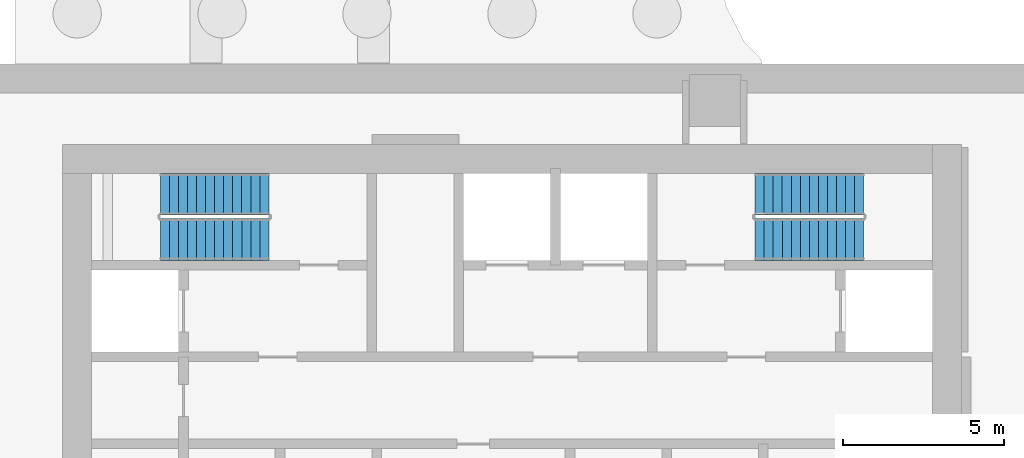
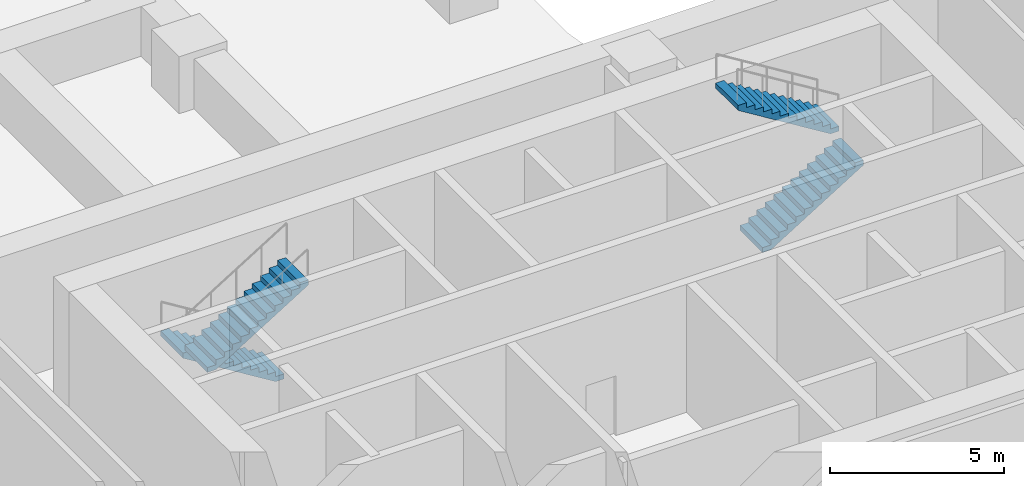
# One storey, part 10 of 14: 4 stair flights, 2 elements without a shape of their own.
"""IFC4 building model written with IfcOpenShell, lengths in metres."""

from ifc_helpers import new_model, si_unit, direction, frame, origin, place, context, subcontext, project, spatial, triangles, source, transform, mapped, material, type_object, element, aggregate, save


model = new_model("IFC4")

# Units and contexts
model_context = context("Model", 3, precision=1e-05, world=origin(), true_north=direction((0.0, 1.0)))
body_context = subcontext(model_context, "Body", "Model", "MODEL_VIEW")
ifc_project = project(units=[si_unit("LENGTHUNIT", "METRE"), si_unit("AREAUNIT", "SQUARE_METRE"), si_unit("VOLUMEUNIT", "CUBIC_METRE"), si_unit("PLANEANGLEUNIT", "RADIAN"), si_unit("MASSUNIT", "GRAM", prefix="KILO")], contexts=[model_context])

# Site, building, storey
site_placement = place(None, origin())
site = spatial("IfcSite", under=ifc_project, at=site_placement, CompositionType="ELEMENT")
building_placement = place(site_placement, origin())
building = spatial("IfcBuilding", under=site, at=building_placement, Name="Ogive Portal Towers", CompositionType="ELEMENT")
storey_placement = place(building_placement, frame((0.0, 0.0, -4.5)))
storey = spatial("IfcBuildingStorey", under=building, at=storey_placement, Name="B1", CompositionType="ELEMENT", Elevation=-4.5)

# Stair, stair flights
ifc_material = material(Name="Concrete C40/50", Category="concrete")
stair_type = type_object("IfcStairType", Name="INT-STAIR", PredefinedType="HALF_TURN_STAIR", material=ifc_material)
stair_1_placement = place(storey_placement, origin())
stair_1 = element("IfcStair", 1, at=stair_1_placement, inside=storey, type_object=stair_type, Name="B1 Exit Stair ST-A1", PredefinedType="HALF_TURN_STAIR")
stair_flight_type = type_object("IfcStairFlightType", Name="INT-FLIGHT", PredefinedType="STRAIGHT", material=ifc_material)
shared_shape = source(origin(), body_context, "Body", "Tessellation", [
    triangles([(0.0, -0.650146484375, 0.0), (0.0, -0.376220703125, 0.0), (0.0, -0.192626953125, 0.0), (0.0, -0.081298828125, 0.0), (0.0, -0.024169921875, 0.0), (0.0, -0.003173828125, 0.0), (0.0, 0.0, 0.0), (0.0, 0.0029296875, 0.0), (0.0, 0.02392578125, 0.0), (0.0, 0.0810546875, 0.0), (0.0, 0.1923828125, 0.0), (0.0, 0.3759765625, 0.0), (0.0, 0.64990234375, 0.0), (0.0, -0.650146484375, 0.173095703125), (0.0, -0.376220703125, 0.173095703125), (0.0, -0.192626953125, 0.173095703125), (0.0, -0.081298828125, 0.173095703125), (0.0, -0.024169921875, 0.173095703125), (0.0, -0.003173828125, 0.173095703125), (0.0, 0.0, 0.173095703125), (0.0, 0.0029296875, 0.173095703125), (0.0, 0.02392578125, 0.173095703125), (0.0, 0.0810546875, 0.173095703125), (0.0, 0.1923828125, 0.173095703125), (0.0, 0.3759765625, 0.173095703125), (0.0, 0.64990234375, 0.173095703125), (0.280029296875, -0.650146484375, 0.173095703125), (0.280029296875, -0.376220703125, 0.173095703125), (0.280029296875, -0.192626953125, 0.173095703125), (0.280029296875, -0.081298828125, 0.173095703125), (0.280029296875, -0.024169921875, 0.173095703125), (0.280029296875, -0.003173828125, 0.173095703125), (0.280029296875, 0.0, 0.173095703125), (0.280029296875, 0.0029296875, 0.173095703125), (0.280029296875, 0.02392578125, 0.173095703125), (0.280029296875, 0.0810546875, 0.173095703125), (0.280029296875, 0.1923828125, 0.173095703125), (0.280029296875, 0.3759765625, 0.173095703125), (0.280029296875, 0.64990234375, 0.173095703125), (0.280029296875, -0.650146484375, 0.34619140625), (0.280029296875, -0.376220703125, 0.34619140625), (0.280029296875, -0.192626953125, 0.34619140625), (0.280029296875, -0.081298828125, 0.34619140625), (0.280029296875, -0.024169921875, 0.34619140625), (0.280029296875, -0.003173828125, 0.34619140625), (0.280029296875, 0.0, 0.34619140625), (0.280029296875, 0.0029296875, 0.34619140625), (0.280029296875, 0.02392578125, 0.34619140625), (0.280029296875, 0.0810546875, 0.34619140625), (0.280029296875, 0.1923828125, 0.34619140625), (0.280029296875, 0.3759765625, 0.34619140625), (0.280029296875, 0.64990234375, 0.34619140625), (0.56005859375, -0.650146484375, 0.34619140625), (0.56005859375, -0.376220703125, 0.34619140625), (0.56005859375, -0.192626953125, 0.34619140625), (0.56005859375, -0.081298828125, 0.34619140625), (0.56005859375, -0.024169921875, 0.34619140625), (0.56005859375, -0.003173828125, 0.34619140625), (0.56005859375, 0.0, 0.34619140625), (0.56005859375, 0.0029296875, 0.34619140625), (0.56005859375, 0.02392578125, 0.34619140625), (0.56005859375, 0.0810546875, 0.34619140625), (0.56005859375, 0.1923828125, 0.34619140625), (0.56005859375, 0.3759765625, 0.34619140625), (0.56005859375, 0.64990234375, 0.34619140625), (0.56005859375, -0.650146484375, 0.519287109375), (0.56005859375, -0.376220703125, 0.519287109375), (0.56005859375, -0.192626953125, 0.519287109375), (0.56005859375, -0.081298828125, 0.519287109375), (0.56005859375, -0.024169921875, 0.519287109375), (0.56005859375, -0.003173828125, 0.519287109375), (0.56005859375, 0.0, 0.519287109375), (0.56005859375, 0.0029296875, 0.519287109375), (0.56005859375, 0.02392578125, 0.519287109375), (0.56005859375, 0.0810546875, 0.519287109375), (0.56005859375, 0.1923828125, 0.519287109375), (0.56005859375, 0.3759765625, 0.519287109375), (0.56005859375, 0.64990234375, 0.519287109375), (0.840087890625, -0.650146484375, 0.519287109375), (0.840087890625, -0.376220703125, 0.519287109375), (0.840087890625, -0.192626953125, 0.519287109375), (0.840087890625, -0.081298828125, 0.519287109375), (0.840087890625, -0.024169921875, 0.519287109375), (0.840087890625, -0.003173828125, 0.519287109375), (0.840087890625, 0.0, 0.519287109375), (0.840087890625, 0.0029296875, 0.519287109375), (0.840087890625, 0.02392578125, 0.519287109375), (0.840087890625, 0.0810546875, 0.519287109375), (0.840087890625, 0.1923828125, 0.519287109375), (0.840087890625, 0.3759765625, 0.519287109375), (0.840087890625, 0.64990234375, 0.519287109375), (0.840087890625, -0.650146484375, 0.6923828125), (0.840087890625, -0.376220703125, 0.6923828125), (0.840087890625, -0.192626953125, 0.6923828125), (0.840087890625, -0.081298828125, 0.6923828125), (0.840087890625, -0.024169921875, 0.6923828125), (0.840087890625, -0.003173828125, 0.6923828125), (0.840087890625, 0.0, 0.6923828125), (0.840087890625, 0.0029296875, 0.6923828125), (0.840087890625, 0.02392578125, 0.6923828125), (0.840087890625, 0.0810546875, 0.6923828125), (0.840087890625, 0.1923828125, 0.6923828125), (0.840087890625, 0.3759765625, 0.6923828125), (0.840087890625, 0.64990234375, 0.6923828125), (1.1201171875, -0.650146484375, 0.6923828125), (1.1201171875, -0.376220703125, 0.6923828125), (1.1201171875, -0.192626953125, 0.6923828125), (1.1201171875, -0.081298828125, 0.6923828125), (1.1201171875, -0.024169921875, 0.6923828125), (1.1201171875, -0.003173828125, 0.6923828125), (1.1201171875, 0.0, 0.6923828125), (1.1201171875, 0.0029296875, 0.6923828125), (1.1201171875, 0.02392578125, 0.6923828125), (1.1201171875, 0.0810546875, 0.6923828125), (1.1201171875, 0.1923828125, 0.6923828125), (1.1201171875, 0.3759765625, 0.6923828125), (1.1201171875, 0.64990234375, 0.6923828125), (1.1201171875, -0.650146484375, 0.865478515625), (1.1201171875, -0.376220703125, 0.865478515625), (1.1201171875, -0.192626953125, 0.865478515625), (1.1201171875, -0.081298828125, 0.865478515625), (1.1201171875, -0.024169921875, 0.865478515625), (1.1201171875, -0.003173828125, 0.865478515625), (1.1201171875, 0.0, 0.865478515625), (1.1201171875, 0.0029296875, 0.865478515625), (1.1201171875, 0.02392578125, 0.865478515625), (1.1201171875, 0.0810546875, 0.865478515625), (1.1201171875, 0.1923828125, 0.865478515625), (1.1201171875, 0.3759765625, 0.865478515625), (1.1201171875, 0.64990234375, 0.865478515625), (1.39990234375, -0.650146484375, 0.865478515625), (1.39990234375, -0.376220703125, 0.865478515625), (1.39990234375, -0.192626953125, 0.865478515625), (1.39990234375, -0.081298828125, 0.865478515625), (1.39990234375, -0.024169921875, 0.865478515625), (1.39990234375, -0.003173828125, 0.865478515625), (1.39990234375, 0.0, 0.865478515625), (1.39990234375, 0.0029296875, 0.865478515625), (1.39990234375, 0.02392578125, 0.865478515625), (1.39990234375, 0.0810546875, 0.865478515625), (1.39990234375, 0.1923828125, 0.865478515625), (1.39990234375, 0.3759765625, 0.865478515625), (1.39990234375, 0.64990234375, 0.865478515625), (1.39990234375, -0.650146484375, 1.03857421875), (1.39990234375, -0.376220703125, 1.03857421875), (1.39990234375, -0.192626953125, 1.03857421875), (1.39990234375, -0.081298828125, 1.03857421875), (1.39990234375, -0.024169921875, 1.03857421875), (1.39990234375, -0.003173828125, 1.03857421875), (1.39990234375, 0.0, 1.03857421875), (1.39990234375, 0.0029296875, 1.03857421875), (1.39990234375, 0.02392578125, 1.03857421875), (1.39990234375, 0.0810546875, 1.03857421875), (1.39990234375, 0.1923828125, 1.03857421875), (1.39990234375, 0.3759765625, 1.03857421875), (1.39990234375, 0.64990234375, 1.03857421875), (1.679931640625, -0.650146484375, 1.03857421875), (1.679931640625, -0.376220703125, 1.03857421875), (1.679931640625, -0.192626953125, 1.03857421875), (1.679931640625, -0.081298828125, 1.03857421875), (1.679931640625, -0.024169921875, 1.03857421875), (1.679931640625, -0.003173828125, 1.03857421875), (1.679931640625, 0.0, 1.03857421875), (1.679931640625, 0.0029296875, 1.03857421875), (1.679931640625, 0.02392578125, 1.03857421875), (1.679931640625, 0.0810546875, 1.03857421875), (1.679931640625, 0.1923828125, 1.03857421875), (1.679931640625, 0.3759765625, 1.03857421875), (1.679931640625, 0.64990234375, 1.03857421875), (1.679931640625, -0.650146484375, 1.21142578125), (1.679931640625, -0.376220703125, 1.21142578125), (1.679931640625, -0.192626953125, 1.21142578125), (1.679931640625, -0.081298828125, 1.21142578125), (1.679931640625, -0.024169921875, 1.21142578125), (1.679931640625, -0.003173828125, 1.21142578125), (1.679931640625, 0.0, 1.21142578125), (1.679931640625, 0.0029296875, 1.21142578125), (1.679931640625, 0.02392578125, 1.21142578125), (1.679931640625, 0.0810546875, 1.21142578125), (1.679931640625, 0.1923828125, 1.21142578125), (1.679931640625, 0.3759765625, 1.21142578125), (1.679931640625, 0.64990234375, 1.21142578125), (1.9599609375, -0.650146484375, 1.21142578125), (1.9599609375, -0.376220703125, 1.21142578125), (1.9599609375, -0.192626953125, 1.21142578125), (1.9599609375, -0.081298828125, 1.21142578125), (1.9599609375, -0.024169921875, 1.21142578125), (1.9599609375, -0.003173828125, 1.21142578125), (1.9599609375, 0.0, 1.21142578125), (1.9599609375, 0.0029296875, 1.21142578125), (1.9599609375, 0.02392578125, 1.21142578125), (1.9599609375, 0.0810546875, 1.21142578125), (1.9599609375, 0.1923828125, 1.21142578125), (1.9599609375, 0.3759765625, 1.21142578125), (1.9599609375, 0.64990234375, 1.21142578125), (1.9599609375, -0.650146484375, 1.384521484375), (1.9599609375, -0.376220703125, 1.384521484375), (1.9599609375, -0.192626953125, 1.384521484375), (1.9599609375, -0.081298828125, 1.384521484375), (1.9599609375, -0.024169921875, 1.384521484375), (1.9599609375, -0.003173828125, 1.384521484375), (1.9599609375, 0.0, 1.384521484375), (1.9599609375, 0.0029296875, 1.384521484375), (1.9599609375, 0.02392578125, 1.384521484375), (1.9599609375, 0.0810546875, 1.384521484375), (1.9599609375, 0.1923828125, 1.384521484375), (1.9599609375, 0.3759765625, 1.384521484375), (1.9599609375, 0.64990234375, 1.384521484375), (2.239990234375, -0.650146484375, 1.384521484375), (2.239990234375, -0.376220703125, 1.384521484375), (2.239990234375, -0.192626953125, 1.384521484375), (2.239990234375, -0.081298828125, 1.384521484375), (2.239990234375, -0.024169921875, 1.384521484375), (2.239990234375, -0.003173828125, 1.384521484375), (2.239990234375, 0.0, 1.384521484375), (2.239990234375, 0.0029296875, 1.384521484375), (2.239990234375, 0.02392578125, 1.384521484375), (2.239990234375, 0.0810546875, 1.384521484375), (2.239990234375, 0.1923828125, 1.384521484375), (2.239990234375, 0.3759765625, 1.384521484375), (2.239990234375, 0.64990234375, 1.384521484375), (2.239990234375, -0.650146484375, 1.5576171875), (2.239990234375, -0.376220703125, 1.5576171875), (2.239990234375, -0.192626953125, 1.5576171875), (2.239990234375, -0.081298828125, 1.5576171875), (2.239990234375, -0.024169921875, 1.5576171875), (2.239990234375, -0.003173828125, 1.5576171875), (2.239990234375, 0.0, 1.5576171875), (2.239990234375, 0.0029296875, 1.5576171875), (2.239990234375, 0.02392578125, 1.5576171875), (2.239990234375, 0.0810546875, 1.5576171875), (2.239990234375, 0.1923828125, 1.5576171875), (2.239990234375, 0.3759765625, 1.5576171875), (2.239990234375, 0.64990234375, 1.5576171875), (2.52001953125, -0.650146484375, 1.5576171875), (2.52001953125, -0.376220703125, 1.5576171875), (2.52001953125, -0.192626953125, 1.5576171875), (2.52001953125, -0.081298828125, 1.5576171875), (2.52001953125, -0.024169921875, 1.5576171875), (2.52001953125, -0.003173828125, 1.5576171875), (2.52001953125, 0.0, 1.5576171875), (2.52001953125, 0.0029296875, 1.5576171875), (2.52001953125, 0.02392578125, 1.5576171875), (2.52001953125, 0.0810546875, 1.5576171875), (2.52001953125, 0.1923828125, 1.5576171875), (2.52001953125, 0.3759765625, 1.5576171875), (2.52001953125, 0.64990234375, 1.5576171875), (2.52001953125, -0.650146484375, 1.730712890625), (2.52001953125, -0.376220703125, 1.730712890625), (2.52001953125, -0.192626953125, 1.730712890625), (2.52001953125, -0.081298828125, 1.730712890625), (2.52001953125, -0.024169921875, 1.730712890625), (2.52001953125, -0.003173828125, 1.730712890625), (2.52001953125, 0.0, 1.730712890625), (2.52001953125, 0.0029296875, 1.730712890625), (2.52001953125, 0.02392578125, 1.730712890625), (2.52001953125, 0.0810546875, 1.730712890625), (2.52001953125, 0.1923828125, 1.730712890625), (2.52001953125, 0.3759765625, 1.730712890625), (2.52001953125, 0.64990234375, 1.730712890625), (2.800048828125, -0.650146484375, 1.730712890625), (2.800048828125, -0.376220703125, 1.730712890625), (2.800048828125, -0.192626953125, 1.730712890625), (2.800048828125, -0.081298828125, 1.730712890625), (2.800048828125, -0.024169921875, 1.730712890625), (2.800048828125, -0.003173828125, 1.730712890625), (2.800048828125, 0.0, 1.730712890625), (2.800048828125, 0.0029296875, 1.730712890625), (2.800048828125, 0.02392578125, 1.730712890625), (2.800048828125, 0.0810546875, 1.730712890625), (2.800048828125, 0.1923828125, 1.730712890625), (2.800048828125, 0.3759765625, 1.730712890625), (2.800048828125, 0.64990234375, 1.730712890625), (2.800048828125, -0.650146484375, 1.90380859375), (2.800048828125, -0.376220703125, 1.90380859375), (2.800048828125, -0.192626953125, 1.90380859375), (2.800048828125, -0.081298828125, 1.90380859375), (2.800048828125, -0.024169921875, 1.90380859375), (2.800048828125, -0.003173828125, 1.90380859375), (2.800048828125, 0.0, 1.90380859375), (2.800048828125, 0.0029296875, 1.90380859375), (2.800048828125, 0.02392578125, 1.90380859375), (2.800048828125, 0.0810546875, 1.90380859375), (2.800048828125, 0.1923828125, 1.90380859375), (2.800048828125, 0.3759765625, 1.90380859375), (2.800048828125, 0.64990234375, 1.90380859375), (3.080078125, -0.650146484375, 1.90380859375), (3.080078125, -0.376220703125, 1.90380859375), (3.080078125, -0.192626953125, 1.90380859375), (3.080078125, -0.081298828125, 1.90380859375), (3.080078125, -0.024169921875, 1.90380859375), (3.080078125, -0.003173828125, 1.90380859375), (3.080078125, 0.0, 1.90380859375), (3.080078125, 0.0029296875, 1.90380859375), (3.080078125, 0.02392578125, 1.90380859375), (3.080078125, 0.0810546875, 1.90380859375), (3.080078125, 0.1923828125, 1.90380859375), (3.080078125, 0.3759765625, 1.90380859375), (3.080078125, 0.64990234375, 1.90380859375), (3.080078125, -0.650146484375, 2.076904296875), (3.080078125, -0.376220703125, 2.076904296875), (3.080078125, -0.192626953125, 2.076904296875), (3.080078125, -0.081298828125, 2.076904296875), (3.080078125, -0.024169921875, 2.076904296875), (3.080078125, -0.003173828125, 2.076904296875), (3.080078125, 0.0, 2.076904296875), (3.080078125, 0.0029296875, 2.076904296875), (3.080078125, 0.02392578125, 2.076904296875), (3.080078125, 0.0810546875, 2.076904296875), (3.080078125, 0.1923828125, 2.076904296875), (3.080078125, 0.3759765625, 2.076904296875), (3.080078125, 0.64990234375, 2.076904296875), (3.360107421875, -0.650146484375, 2.076904296875), (3.360107421875, -0.376220703125, 2.076904296875), (3.360107421875, -0.192626953125, 2.076904296875), (3.360107421875, -0.081298828125, 2.076904296875), (3.360107421875, -0.024169921875, 2.076904296875), (3.360107421875, -0.003173828125, 2.076904296875), (3.360107421875, 0.0, 2.076904296875), (3.360107421875, 0.0029296875, 2.076904296875), (3.360107421875, 0.02392578125, 2.076904296875), (3.360107421875, 0.0810546875, 2.076904296875), (3.360107421875, 0.1923828125, 2.076904296875), (3.360107421875, 0.3759765625, 2.076904296875), (3.360107421875, 0.64990234375, 2.076904296875), (3.360107421875, -0.650146484375, 1.900634765625), (3.360107421875, -0.376220703125, 1.900634765625), (3.360107421875, -0.192626953125, 1.900634765625), (3.360107421875, -0.081298828125, 1.900634765625), (3.360107421875, -0.024169921875, 1.900634765625), (3.360107421875, -0.003173828125, 1.900634765625), (3.360107421875, 0.0, 1.900634765625), (3.360107421875, 0.0029296875, 1.900634765625), (3.360107421875, 0.02392578125, 1.900634765625), (3.360107421875, 0.0810546875, 1.900634765625), (3.360107421875, 0.1923828125, 1.900634765625), (3.360107421875, 0.3759765625, 1.900634765625), (3.360107421875, 0.64990234375, 1.900634765625), (0.28515625, -0.650146484375, 0.0), (0.28515625, -0.376220703125, 0.0), (0.28515625, -0.192626953125, 0.0), (0.28515625, -0.081298828125, 0.0), (0.28515625, -0.024169921875, 0.0), (0.28515625, -0.003173828125, 0.0), (0.28515625, 0.0, 0.0), (0.28515625, 0.0029296875, 0.0), (0.28515625, 0.02392578125, 0.0), (0.28515625, 0.0810546875, 0.0), (0.28515625, 0.1923828125, 0.0), (0.28515625, 0.3759765625, 0.0), (0.28515625, 0.64990234375, 0.0)], [[1, 14, 15], [1, 15, 2], [2, 15, 16], [2, 16, 3], [3, 16, 17], [3, 17, 4], [4, 17, 18], [4, 18, 5], [5, 18, 19], [5, 19, 6], [6, 19, 20], [6, 20, 7], [7, 20, 21], [7, 21, 8], [8, 21, 22], [8, 22, 9], [9, 22, 23], [9, 23, 10], [10, 23, 24], [10, 24, 11], [11, 24, 25], [11, 25, 12], [12, 25, 26], [12, 26, 13], [14, 27, 28], [14, 28, 15], [15, 28, 29], [15, 29, 16], [16, 29, 30], [16, 30, 17], [17, 30, 31], [17, 31, 18], [18, 31, 32], [18, 32, 19], [19, 32, 33], [19, 33, 20], [20, 33, 34], [20, 34, 21], [21, 34, 35], [21, 35, 22], [22, 35, 36], [22, 36, 23], [23, 36, 37], [23, 37, 24], [24, 37, 38], [24, 38, 25], [25, 38, 39], [25, 39, 26], [27, 40, 41], [27, 41, 28], [28, 41, 42], [28, 42, 29], [29, 42, 43], [29, 43, 30], [30, 43, 44], [30, 44, 31], [31, 44, 45], [31, 45, 32], [32, 45, 46], [32, 46, 33], [33, 46, 47], [33, 47, 34], [34, 47, 48], [34, 48, 35], [35, 48, 49], [35, 49, 36], [36, 49, 50], [36, 50, 37], [37, 50, 51], [37, 51, 38], [38, 51, 52], [38, 52, 39], [40, 53, 54], [40, 54, 41], [41, 54, 55], [41, 55, 42], [42, 55, 56], [42, 56, 43], [43, 56, 57], [43, 57, 44], [44, 57, 58], [44, 58, 45], [45, 58, 59], [45, 59, 46], [46, 59, 60], [46, 60, 47], [47, 60, 61], [47, 61, 48], [48, 61, 62], [48, 62, 49], [49, 62, 63], [49, 63, 50], [50, 63, 64], [50, 64, 51], [51, 64, 65], [51, 65, 52], [53, 66, 67], [53, 67, 54], [54, 67, 68], [54, 68, 55], [55, 68, 69], [55, 69, 56], [56, 69, 70], [56, 70, 57], [57, 70, 71], [57, 71, 58], [58, 71, 72], [58, 72, 59], [59, 72, 73], [59, 73, 60], [60, 73, 74], [60, 74, 61], [61, 74, 75], [61, 75, 62], [62, 75, 76], [62, 76, 63], [63, 76, 77], [63, 77, 64], [64, 77, 78], [64, 78, 65], [66, 79, 80], [66, 80, 67], [67, 80, 81], [67, 81, 68], [68, 81, 82], [68, 82, 69], [69, 82, 83], [69, 83, 70], [70, 83, 84], [70, 84, 71], [71, 84, 85], [71, 85, 72], [72, 85, 86], [72, 86, 73], [73, 86, 87], [73, 87, 74], [74, 87, 88], [74, 88, 75], [75, 88, 89], [75, 89, 76], [76, 89, 90], [76, 90, 77], [77, 90, 91], [77, 91, 78], [79, 92, 93], [79, 93, 80], [80, 93, 94], [80, 94, 81], [81, 94, 95], [81, 95, 82], [82, 95, 96], [82, 96, 83], [83, 96, 97], [83, 97, 84], [84, 97, 98], [84, 98, 85], [85, 98, 99], [85, 99, 86], [86, 99, 100], [86, 100, 87], [87, 100, 101], [87, 101, 88], [88, 101, 102], [88, 102, 89], [89, 102, 103], [89, 103, 90], [90, 103, 104], [90, 104, 91], [92, 105, 106], [92, 106, 93], [93, 106, 107], [93, 107, 94], [94, 107, 108], [94, 108, 95], [95, 108, 109], [95, 109, 96], [96, 109, 110], [96, 110, 97], [97, 110, 111], [97, 111, 98], [98, 111, 112], [98, 112, 99], [99, 112, 113], [99, 113, 100], [100, 113, 114], [100, 114, 101], [101, 114, 115], [101, 115, 102], [102, 115, 116], [102, 116, 103], [103, 116, 117], [103, 117, 104], [105, 118, 119], [105, 119, 106], [106, 119, 120], [106, 120, 107], [107, 120, 121], [107, 121, 108], [108, 121, 122], [108, 122, 109], [109, 122, 123], [109, 123, 110], [110, 123, 124], [110, 124, 111], [111, 124, 125], [111, 125, 112], [112, 125, 126], [112, 126, 113], [113, 126, 127], [113, 127, 114], [114, 127, 128], [114, 128, 115], [115, 128, 129], [115, 129, 116], [116, 129, 130], [116, 130, 117], [118, 131, 132], [118, 132, 119], [119, 132, 133], [119, 133, 120], [120, 133, 134], [120, 134, 121], [121, 134, 135], [121, 135, 122], [122, 135, 136], [122, 136, 123], [123, 136, 137], [123, 137, 124], [124, 137, 138], [124, 138, 125], [125, 138, 139], [125, 139, 126], [126, 139, 140], [126, 140, 127], [127, 140, 141], [127, 141, 128], [128, 141, 142], [128, 142, 129], [129, 142, 143], [129, 143, 130], [131, 144, 145], [131, 145, 132], [132, 145, 146], [132, 146, 133], [133, 146, 147], [133, 147, 134], [134, 147, 148], [134, 148, 135], [135, 148, 149], [135, 149, 136], [136, 149, 150], [136, 150, 137], [137, 150, 151], [137, 151, 138], [138, 151, 152], [138, 152, 139], [139, 152, 153], [139, 153, 140], [140, 153, 154], [140, 154, 141], [141, 154, 155], [141, 155, 142], [142, 155, 156], [142, 156, 143], [144, 157, 158], [144, 158, 145], [145, 158, 159], [145, 159, 146], [146, 159, 160], [146, 160, 147], [147, 160, 161], [147, 161, 148], [148, 161, 162], [148, 162, 149], [149, 162, 163], [149, 163, 150], [150, 163, 164], [150, 164, 151], [151, 164, 165], [151, 165, 152], [152, 165, 166], [152, 166, 153], [153, 166, 167], [153, 167, 154], [154, 167, 168], [154, 168, 155], [155, 168, 169], [155, 169, 156], [157, 170, 171], [157, 171, 158], [158, 171, 172], [158, 172, 159], [159, 172, 173], [159, 173, 160], [160, 173, 174], [160, 174, 161], [161, 174, 175], [161, 175, 162], [162, 175, 176], [162, 176, 163], [163, 176, 177], [163, 177, 164], [164, 177, 178], [164, 178, 165], [165, 178, 179], [165, 179, 166], [166, 179, 180], [166, 180, 167], [167, 180, 181], [167, 181, 168], [168, 181, 182], [168, 182, 169], [170, 183, 184], [170, 184, 171], [171, 184, 185], [171, 185, 172], [172, 185, 186], [172, 186, 173], [173, 186, 187], [173, 187, 174], [174, 187, 188], [174, 188, 175], [175, 188, 189], [175, 189, 176], [176, 189, 190], [176, 190, 177], [177, 190, 191], [177, 191, 178], [178, 191, 192], [178, 192, 179], [179, 192, 193], [179, 193, 180], [180, 193, 194], [180, 194, 181], [181, 194, 195], [181, 195, 182], [183, 196, 197], [183, 197, 184], [184, 197, 198], [184, 198, 185], [185, 198, 199], [185, 199, 186], [186, 199, 200], [186, 200, 187], [187, 200, 201], [187, 201, 188], [188, 201, 202], [188, 202, 189], [189, 202, 203], [189, 203, 190], [190, 203, 204], [190, 204, 191], [191, 204, 205], [191, 205, 192], [192, 205, 206], [192, 206, 193], [193, 206, 207], [193, 207, 194], [194, 207, 208], [194, 208, 195], [196, 209, 210], [196, 210, 197], [197, 210, 211], [197, 211, 198], [198, 211, 212], [198, 212, 199], [199, 212, 213], [199, 213, 200], [200, 213, 214], [200, 214, 201], [201, 214, 215], [201, 215, 202], [202, 215, 216], [202, 216, 203], [203, 216, 217], [203, 217, 204], [204, 217, 218], [204, 218, 205], [205, 218, 219], [205, 219, 206], [206, 219, 220], [206, 220, 207], [207, 220, 221], [207, 221, 208], [209, 222, 223], [209, 223, 210], [210, 223, 224], [210, 224, 211], [211, 224, 225], [211, 225, 212], [212, 225, 226], [212, 226, 213], [213, 226, 227], [213, 227, 214], [214, 227, 228], [214, 228, 215], [215, 228, 229], [215, 229, 216], [216, 229, 230], [216, 230, 217], [217, 230, 231], [217, 231, 218], [218, 231, 232], [218, 232, 219], [219, 232, 233], [219, 233, 220], [220, 233, 234], [220, 234, 221], [222, 235, 236], [222, 236, 223], [223, 236, 237], [223, 237, 224], [224, 237, 238], [224, 238, 225], [225, 238, 239], [225, 239, 226], [226, 239, 240], [226, 240, 227], [227, 240, 241], [227, 241, 228], [228, 241, 242], [228, 242, 229], [229, 242, 243], [229, 243, 230], [230, 243, 244], [230, 244, 231], [231, 244, 245], [231, 245, 232], [232, 245, 246], [232, 246, 233], [233, 246, 247], [233, 247, 234], [235, 248, 249], [235, 249, 236], [236, 249, 250], [236, 250, 237], [237, 250, 251], [237, 251, 238], [238, 251, 252], [238, 252, 239], [239, 252, 253], [239, 253, 240], [240, 253, 254], [240, 254, 241], [241, 254, 255], [241, 255, 242], [242, 255, 256], [242, 256, 243], [243, 256, 257], [243, 257, 244], [244, 257, 258], [244, 258, 245], [245, 258, 259], [245, 259, 246], [246, 259, 260], [246, 260, 247], [248, 261, 262], [248, 262, 249], [249, 262, 263], [249, 263, 250], [250, 263, 264], [250, 264, 251], [251, 264, 265], [251, 265, 252], [252, 265, 266], [252, 266, 253], [253, 266, 267], [253, 267, 254], [254, 267, 268], [254, 268, 255], [255, 268, 269], [255, 269, 256], [256, 269, 270], [256, 270, 257], [257, 270, 271], [257, 271, 258], [258, 271, 272], [258, 272, 259], [259, 272, 273], [259, 273, 260], [261, 274, 275], [261, 275, 262], [262, 275, 276], [262, 276, 263], [263, 276, 277], [263, 277, 264], [264, 277, 278], [264, 278, 265], [265, 278, 279], [265, 279, 266], [266, 279, 280], [266, 280, 267], [267, 280, 281], [267, 281, 268], [268, 281, 282], [268, 282, 269], [269, 282, 283], [269, 283, 270], [270, 283, 284], [270, 284, 271], [271, 284, 285], [271, 285, 272], [272, 285, 286], [272, 286, 273], [274, 287, 288], [274, 288, 275], [275, 288, 289], [275, 289, 276], [276, 289, 290], [276, 290, 277], [277, 290, 291], [277, 291, 278], [278, 291, 292], [278, 292, 279], [279, 292, 293], [279, 293, 280], [280, 293, 294], [280, 294, 281], [281, 294, 295], [281, 295, 282], [282, 295, 296], [282, 296, 283], [283, 296, 297], [283, 297, 284], [284, 297, 298], [284, 298, 285], [285, 298, 299], [285, 299, 286], [287, 300, 301], [287, 301, 288], [288, 301, 302], [288, 302, 289], [289, 302, 303], [289, 303, 290], [290, 303, 304], [290, 304, 291], [291, 304, 305], [291, 305, 292], [292, 305, 306], [292, 306, 293], [293, 306, 307], [293, 307, 294], [294, 307, 308], [294, 308, 295], [295, 308, 309], [295, 309, 296], [296, 309, 310], [296, 310, 297], [297, 310, 311], [297, 311, 298], [298, 311, 312], [298, 312, 299], [300, 313, 314], [300, 314, 301], [301, 314, 315], [301, 315, 302], [302, 315, 316], [302, 316, 303], [303, 316, 317], [303, 317, 304], [304, 317, 318], [304, 318, 305], [305, 318, 319], [305, 319, 306], [306, 319, 320], [306, 320, 307], [307, 320, 321], [307, 321, 308], [308, 321, 322], [308, 322, 309], [309, 322, 323], [309, 323, 310], [310, 323, 324], [310, 324, 311], [311, 324, 325], [311, 325, 312], [313, 326, 327], [313, 327, 314], [314, 327, 328], [314, 328, 315], [315, 328, 329], [315, 329, 316], [316, 329, 330], [316, 330, 317], [317, 330, 331], [317, 331, 318], [318, 331, 332], [318, 332, 319], [319, 332, 333], [319, 333, 320], [320, 333, 334], [320, 334, 321], [321, 334, 335], [321, 335, 322], [322, 335, 336], [322, 336, 323], [323, 336, 337], [323, 337, 324], [324, 337, 338], [324, 338, 325], [326, 339, 340], [326, 340, 327], [327, 340, 341], [327, 341, 328], [328, 341, 342], [328, 342, 329], [329, 342, 343], [329, 343, 330], [330, 343, 344], [330, 344, 331], [331, 344, 345], [331, 345, 332], [332, 345, 346], [332, 346, 333], [333, 346, 347], [333, 347, 334], [334, 347, 348], [334, 348, 335], [335, 348, 349], [335, 349, 336], [336, 349, 350], [336, 350, 337], [337, 350, 351], [337, 351, 338], [339, 1, 2], [339, 2, 340], [340, 2, 3], [340, 3, 341], [341, 3, 4], [341, 4, 342], [342, 4, 5], [342, 5, 343], [343, 5, 6], [343, 6, 344], [344, 6, 7], [344, 7, 345], [345, 7, 8], [345, 8, 346], [346, 8, 9], [346, 9, 347], [347, 9, 10], [347, 10, 348], [348, 10, 11], [348, 11, 349], [349, 11, 12], [349, 12, 350], [350, 12, 13], [350, 13, 351], [1, 339, 326], [13, 338, 351], [326, 313, 300], [338, 312, 325], [326, 300, 287], [338, 299, 312], [326, 287, 274], [338, 286, 299], [326, 274, 261], [338, 273, 286], [261, 248, 235], [273, 247, 260], [326, 261, 235], [338, 247, 273], [235, 222, 209], [247, 221, 234], [326, 235, 209], [338, 221, 247], [209, 196, 183], [221, 195, 208], [326, 209, 183], [338, 195, 221], [1, 326, 183], [13, 195, 338], [183, 170, 157], [195, 169, 182], [157, 144, 131], [169, 143, 156], [183, 157, 131], [195, 143, 169], [131, 118, 105], [143, 117, 130], [183, 131, 105], [195, 117, 143], [105, 92, 79], [117, 91, 104], [183, 105, 79], [195, 91, 117], [79, 66, 53], [91, 65, 78], [183, 79, 53], [195, 65, 91], [53, 40, 27], [65, 39, 52], [183, 53, 27], [195, 39, 65], [1, 183, 27], [13, 39, 195], [27, 14, 1], [39, 13, 26]], closed=True),
])
stair_flight_1_placement = place(storey_placement, frame((37.449951171875, 38.39990234375, 0.0), z_axis=(0.0, 0.0, 1.0), x_axis=(-1.0, 0.0, 0.0)))
stair_flight_1 = element("IfcStairFlight", 2, at=stair_flight_1_placement, type_object=stair_flight_type, Name="ST-A1 flight 1", NumberOfRisers=13, NumberOfTreads=12, PredefinedType="STRAIGHT", RiserHeight=0.173076923, TreadLength=0.28, context=body_context, shape_type="MappedRepresentation", body=[
    mapped(shared_shape, transform((0.0, 0.0, 0.0), scale=1.0)),
])
stair_flight_2_placement = place(storey_placement, frame((34.090087890625, 37.0, 2.25), z_axis=(0.0, 0.0, 1.0), x_axis=(1.0, 0.0, 0.0)))
stair_flight_2 = element("IfcStairFlight", 3, at=stair_flight_2_placement, type_object=stair_flight_type, Name="ST-A1 flight 2", NumberOfRisers=13, NumberOfTreads=12, PredefinedType="STRAIGHT", RiserHeight=0.173076923, TreadLength=0.28, context=body_context, shape_type="MappedRepresentation", body=[
    mapped(shared_shape, transform((0.0, 0.0, 0.0), scale=1.0)),
])
aggregate(stair_1, [stair_flight_1, stair_flight_2])

stair_2_placement = place(storey_placement, origin())
stair_2 = element("IfcStair", 4, at=stair_2_placement, inside=storey, type_object=stair_type, Name="B1 Exit Stair ST-A2", PredefinedType="HALF_TURN_STAIR")
stair_flight_3_placement = place(storey_placement, frame((52.550048828125, 37.0, 0.0), z_axis=(0.0, 0.0, 1.0), x_axis=(1.0, 0.0, 0.0)))
stair_flight_3 = element("IfcStairFlight", 5, at=stair_flight_3_placement, type_object=stair_flight_type, Name="ST-A2 flight 1", NumberOfRisers=13, NumberOfTreads=12, PredefinedType="STRAIGHT", RiserHeight=0.173076923, TreadLength=0.28, context=body_context, shape_type="MappedRepresentation", body=[
    mapped(shared_shape, transform((0.0, 0.0, 0.0), scale=1.0)),
])
stair_flight_4_placement = place(storey_placement, frame((55.909912109375, 38.39990234375, 2.25), z_axis=(0.0, 0.0, 1.0), x_axis=(-1.0, 0.0, 0.0)))
stair_flight_4 = element("IfcStairFlight", 6, at=stair_flight_4_placement, type_object=stair_flight_type, Name="ST-A2 flight 2", NumberOfRisers=13, NumberOfTreads=12, PredefinedType="STRAIGHT", RiserHeight=0.173076923, TreadLength=0.28, context=body_context, shape_type="MappedRepresentation", body=[
    mapped(shared_shape, transform((0.0, 0.0, 0.0), scale=1.0)),
])
aggregate(stair_2, [stair_flight_3, stair_flight_4])

save(model, "model.ifc")
